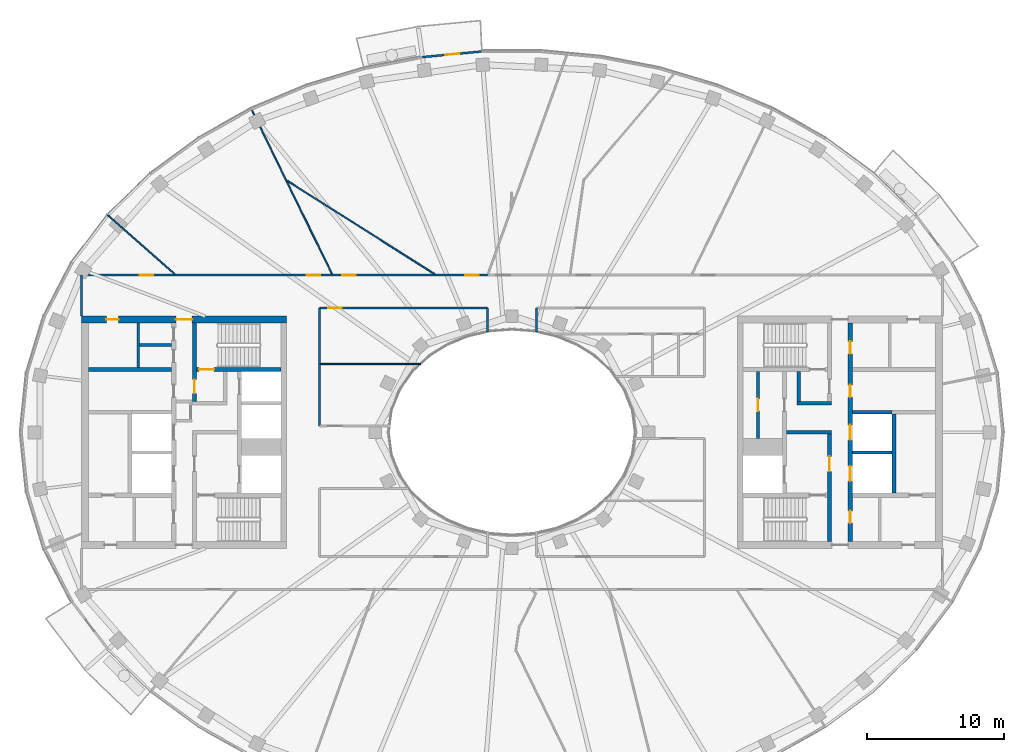
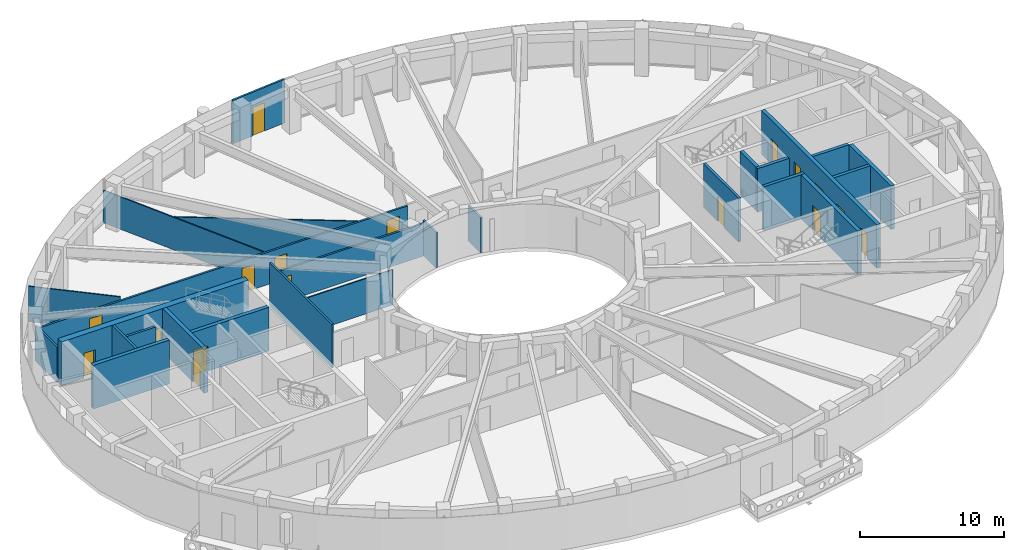
# One storey, part 5 of 16: 26 walls, 17 doors, 17 openings.
"""IFC4 building model written with IfcOpenShell, lengths in metres."""

from ifc_helpers import new_model, si_unit, direction, frame, frame_2d, origin, place, context, subcontext, project, spatial, rectangle, extrude, material, layer, layer_set, type_object, element, fill, save


model = new_model("IFC4")

# Units and contexts
model_context = context("Model", 3, precision=1e-05, world=origin(), true_north=direction((0.0, 1.0)))
body_context = subcontext(model_context, "Body", "Model", "MODEL_VIEW")
ifc_project = project(units=[si_unit("LENGTHUNIT", "METRE"), si_unit("AREAUNIT", "SQUARE_METRE"), si_unit("VOLUMEUNIT", "CUBIC_METRE"), si_unit("PLANEANGLEUNIT", "RADIAN"), si_unit("MASSUNIT", "GRAM", prefix="KILO")], contexts=[model_context])

# Site, building, storey
site_placement = place(None, origin())
site = spatial("IfcSite", under=ifc_project, at=site_placement, CompositionType="ELEMENT")
building_placement = place(site_placement, origin())
building = spatial("IfcBuilding", under=site, at=building_placement, Name="Noorbagh Ring Tower", CompositionType="ELEMENT")
storey_placement = place(building_placement, frame((0.0, 0.0, 299.0)))
storey = spatial("IfcBuildingStorey", under=building, at=storey_placement, Name="L64", CompositionType="ELEMENT", Elevation=299.0)

# Walls
ifc_material_1 = material(Name="Gypsum board on steel studs", Category="steel")
ifc_layer_1 = layer(ifc_material_1, 0.199951171875)
ifc_layer_set_1 = layer_set([ifc_layer_1], Name="Gypsum board on steel studs")
wall_type_1 = type_object("IfcWallType", Name="CORE-PARTITION-200", PredefinedType="PARTITIONING", material=ifc_layer_set_1)
wall_1_placement = place(storey_placement, frame((-27.35009765625, 4.75, 0.0), z_axis=(0.0, 0.0, 1.0), x_axis=(0.0, 1.0, 0.0)))
element("IfcWall", 1, at=wall_1_placement, inside=storey, type_object=wall_type_1, Name="Core partition W", PredefinedType="PARTITIONING", context=body_context, shape_type="SweptSolid", body=[
    extrude(rectangle(XDim=3.25, YDim=0.199951171875, at=frame_2d((1.625, 0.0))), origin(), (0.0, 0.0, 1.0), 3.699951171875),
])
wall_2_placement = place(storey_placement, frame((-24.89990234375, 6.39990234375, 0.0), z_axis=(0.0, 0.0, 1.0), x_axis=(-1.0, 0.0, 0.0)))
element("IfcWall", 2, at=wall_2_placement, inside=storey, type_object=wall_type_1, Name="Core partition W", PredefinedType="PARTITIONING", context=body_context, shape_type="SweptSolid", body=[
    extrude(rectangle(XDim=2.35009765625, YDim=0.199951171875, at=frame_2d((1.175048828125, 0.0))), origin(), (0.0, 0.0, 1.0), 3.699951171875),
])

# Wall, opening, door
wall_3_placement = place(storey_placement, frame((18.0, -0.449951171875, 0.0), z_axis=(0.0, 0.0, 1.0), x_axis=(0.0, 1.0, 0.0)))
wall_3 = element("IfcWall", 3, at=wall_3_placement, inside=storey, type_object=wall_type_1, Name="Core partition E", PredefinedType="PARTITIONING", context=body_context, shape_type="SweptSolid", body=[
    extrude(rectangle(XDim=4.89990234375, YDim=0.199951171875, at=frame_2d((2.449951171875, 0.0))), origin(), (0.0, 0.0, 1.0), 3.699951171875),
])
opening_1_placement = place(wall_3_placement, frame((2.0, 0.0, 0.0)))
opening_1 = element("IfcOpeningElement", 4, at=opening_1_placement, cuts=wall_3, Name="Opening L64-CE11", PredefinedType="OPENING", context=body_context, shape_type="SweptSolid", body=[
    extrude(rectangle(XDim=0.89990234375, YDim=2.10009765625, at=frame_2d((0.449951171875, 1.050048828125))), frame((0.0, 0.10986328125, 0.0), z_axis=(0.0, -1.0, 0.0), x_axis=(1.0, 0.0, 0.0)), (0.0, 0.0, 1.0), 0.219970703125),
])
ifc_material_2 = material(Name="Steel door leaf", Category="steel")
door_type_1 = type_object("IfcDoorType", Name="CORE-DOOR-DROOM", OperationType="SINGLE_SWING_LEFT", PredefinedType="DOOR", material=ifc_material_2)
door_1_placement = place(opening_1_placement, origin())
door_1 = element("IfcDoor", 5, at=door_1_placement, inside=storey, type_object=door_type_1, Name="Core room door L64-CE11", OperationType="SINGLE_SWING_RIGHT", OverallHeight=2.10009765625, OverallWidth=0.89990234375, PredefinedType="DOOR", context=body_context, shape_type="SweptSolid", body=[
    extrude(rectangle(XDim=0.89990234375, YDim=2.10009765625, at=frame_2d((0.449951171875, 1.050048828125))), frame((0.0, 0.02490234375, 0.0), z_axis=(0.0, -1.0, 0.0), x_axis=(1.0, 0.0, 0.0)), (0.0, 0.0, 1.0), 0.050048828125),
])
fill(opening_1, door_1)

# Walls
ifc_material_3 = material(Name="Concrete C50/60", Category="concrete")
ifc_layer_2 = layer(ifc_material_3, 0.25)
ifc_layer_set_2 = layer_set([ifc_layer_2], Name="Concrete C50/60")
wall_type_2 = type_object("IfcWallType", Name="CORE-WALL-250-C50-60-EI120", PredefinedType="SHEAR", material=ifc_layer_set_2)
for number, where, z_axis, x_axis, name in (
    (6, (24.89990234375, -1.47509765625, 0.0), (0.0, 0.0, 1.0), (1.0, 0.0, 0.0), "Core wall E"),
    (7, (24.89990234375, 1.47509765625, 0.0), (0.0, 0.0, 1.0), (1.0, 0.0, 0.0), "Core wall E"),
):
    element("IfcWall", number, at=place(storey_placement, frame(where, z_axis=z_axis, x_axis=x_axis)), inside=storey, type_object=wall_type_2, Name=name, PredefinedType="SHEAR", context=body_context, shape_type="SweptSolid", body=[
        extrude(rectangle(XDim=2.900146484375, YDim=0.25, at=frame_2d((1.4501953125, 0.0))), origin(), (0.0, 0.0, 1.0), 3.699951171875),
    ])
ifc_material_4 = material(Name="Concrete C50/60", Category="concrete")
ifc_layer_3 = layer(ifc_material_4, 0.25)
ifc_layer_set_3 = layer_set([ifc_layer_3], Name="Concrete C50/60")
wall_type_3 = type_object("IfcWallType", Name="CORE-WALL-250-C50-60-EI240", PredefinedType="SHEAR", material=ifc_layer_set_3)
wall_4_placement = place(storey_placement, frame((20.10009765625, 0.0, 0.0), z_axis=(0.0, 0.0, 1.0), x_axis=(1.0, 0.0, 0.0)))
element("IfcWall", 8, at=wall_4_placement, inside=storey, type_object=wall_type_3, Name="Core wall E", PredefinedType="SHEAR", context=body_context, shape_type="SweptSolid", body=[
    extrude(rectangle(XDim=3.27978515625, YDim=0.25, at=frame_2d((1.639892578125, 0.0))), origin(), (0.0, 0.0, 1.0), 3.699951171875),
])
wall_5_placement = place(storey_placement, frame((20.85009765625, 2.125, 0.0), z_axis=(0.0, 0.0, 1.0), x_axis=(1.0, 0.0, 0.0)))
element("IfcWall", 9, at=wall_5_placement, inside=storey, type_object=wall_type_3, Name="Core wall E", PredefinedType="SHEAR", context=body_context, shape_type="SweptSolid", body=[
    extrude(rectangle(XDim=2.52978515625, YDim=0.25, at=frame_2d((1.264892578125, 0.0))), origin(), (0.0, 0.0, 1.0), 3.699951171875),
])
wall_6_placement = place(storey_placement, frame((20.97509765625, 2.25, 0.0), z_axis=(0.0, 0.0, 1.0), x_axis=(0.0, 1.0, 0.0)))
element("IfcWall", 10, at=wall_6_placement, inside=storey, type_object=wall_type_3, Name="Core wall E", PredefinedType="SHEAR", context=body_context, shape_type="SweptSolid", body=[
    extrude(rectangle(XDim=2.199951171875, YDim=0.25, at=frame_2d((1.10009765625, 0.0))), origin(), (0.0, 0.0, 1.0), 3.699951171875),
])
ifc_material_5 = material(Name="Concrete C50/60", Category="concrete")
ifc_layer_4 = layer(ifc_material_5, 0.300048828125)
ifc_layer_set_4 = layer_set([ifc_layer_4], Name="Concrete C50/60")
wall_type_4 = type_object("IfcWallType", Name="CORE-WALL-300-C50-60-EI120", PredefinedType="SHEAR", material=ifc_layer_set_4)
wall_7_placement = place(storey_placement, frame((27.949951171875, -4.449951171875, 0.0), z_axis=(0.0, 0.0, 1.0), x_axis=(0.0, 1.0, 0.0)))
element("IfcWall", 11, at=wall_7_placement, inside=storey, type_object=wall_type_4, Name="Core wall E", PredefinedType="SHEAR", context=body_context, shape_type="SweptSolid", body=[
    extrude(rectangle(XDim=5.800048828125, YDim=0.300048828125, at=frame_2d((2.89990234375, 0.0))), origin(), (0.0, 0.0, 1.0), 3.699951171875),
])

# Wall, openings, doors
wall_8_placement = place(storey_placement, frame((24.75, -8.0, 0.0), z_axis=(0.0, 0.0, 1.0), x_axis=(0.0, 1.0, 0.0)))
wall_8 = element("IfcWall", 12, at=wall_8_placement, inside=storey, type_object=wall_type_4, Name="Core wall E", PredefinedType="SHEAR", context=body_context, shape_type="SweptSolid", body=[
    extrude(rectangle(XDim=16.0, YDim=0.300048828125, at=frame_2d((8.0, 0.0))), origin(), (0.0, 0.0, 1.0), 3.699951171875),
])
opening_2_placement = place(wall_8_placement, frame((4.425048828125, 0.0, 0.0)))
opening_2 = element("IfcOpeningElement", 13, at=opening_2_placement, cuts=wall_8, Name="Opening L64-CE02", PredefinedType="OPENING", context=body_context, shape_type="SweptSolid", body=[
    extrude(rectangle(XDim=1.10009765625, YDim=2.10009765625, at=frame_2d((0.550048828125, 1.050048828125))), frame((0.0, 0.16015625, 0.0), z_axis=(0.0, -1.0, 0.0), x_axis=(1.0, 0.0, 0.0)), (0.0, 0.0, 1.0), 0.320068359375),
])
opening_3_placement = place(wall_8_placement, frame((7.449951171875, 0.0, 0.0)))
opening_3 = element("IfcOpeningElement", 14, at=opening_3_placement, cuts=wall_8, Name="Opening L64-CE03", PredefinedType="OPENING", context=body_context, shape_type="SweptSolid", body=[
    extrude(rectangle(XDim=1.10009765625, YDim=2.10009765625, at=frame_2d((0.550048828125, 1.050048828125))), frame((0.0, 0.16015625, 0.0), z_axis=(0.0, -1.0, 0.0), x_axis=(1.0, 0.0, 0.0)), (0.0, 0.0, 1.0), 0.320068359375),
])
opening_4_placement = place(wall_8_placement, frame((10.574951171875, 0.0, 0.0)))
opening_4 = element("IfcOpeningElement", 15, at=opening_4_placement, cuts=wall_8, Name="Opening L64-CE12", PredefinedType="OPENING", context=body_context, shape_type="SweptSolid", body=[
    extrude(rectangle(XDim=0.89990234375, YDim=2.10009765625, at=frame_2d((0.449951171875, 1.050048828125))), frame((0.0, 0.16015625, 0.0), z_axis=(0.0, -1.0, 0.0), x_axis=(1.0, 0.0, 0.0)), (0.0, 0.0, 1.0), 0.320068359375),
])
opening_5_placement = place(wall_8_placement, frame((13.75, 0.0, 0.0)))
opening_5 = element("IfcOpeningElement", 16, at=opening_5_placement, cuts=wall_8, Name="Opening L64-CE13", PredefinedType="OPENING", context=body_context, shape_type="SweptSolid", body=[
    extrude(rectangle(XDim=0.89990234375, YDim=2.10009765625, at=frame_2d((0.449951171875, 1.050048828125))), frame((0.0, 0.16015625, 0.0), z_axis=(0.0, -1.0, 0.0), x_axis=(1.0, 0.0, 0.0)), (0.0, 0.0, 1.0), 0.320068359375),
])
opening_6_placement = place(wall_8_placement, frame((1.35009765625, 0.0, 0.0)))
opening_6 = element("IfcOpeningElement", 17, at=opening_6_placement, cuts=wall_8, Name="Opening L64-CE15", PredefinedType="OPENING", context=body_context, shape_type="SweptSolid", body=[
    extrude(rectangle(XDim=0.89990234375, YDim=2.10009765625, at=frame_2d((0.449951171875, 1.050048828125))), frame((0.0, 0.16015625, 0.0), z_axis=(0.0, -1.0, 0.0), x_axis=(1.0, 0.0, 0.0)), (0.0, 0.0, 1.0), 0.320068359375),
])
door_2_placement = place(opening_4_placement, origin())
door_2 = element("IfcDoor", 18, at=door_2_placement, inside=storey, type_object=door_type_1, Name="Core room door L64-CE12", OperationType="SINGLE_SWING_LEFT", OverallHeight=2.10009765625, OverallWidth=0.89990234375, PredefinedType="DOOR", context=body_context, shape_type="SweptSolid", body=[
    extrude(rectangle(XDim=0.89990234375, YDim=2.10009765625, at=frame_2d((0.449951171875, 1.050048828125))), frame((0.0, 0.02490234375, 0.0), z_axis=(0.0, -1.0, 0.0), x_axis=(1.0, 0.0, 0.0)), (0.0, 0.0, 1.0), 0.050048828125),
])
fill(opening_4, door_2)
door_3_placement = place(opening_5_placement, origin())
door_3 = element("IfcDoor", 19, at=door_3_placement, inside=storey, type_object=door_type_1, Name="Core room door L64-CE13", OperationType="SINGLE_SWING_LEFT", OverallHeight=2.10009765625, OverallWidth=0.89990234375, PredefinedType="DOOR", context=body_context, shape_type="SweptSolid", body=[
    extrude(rectangle(XDim=0.89990234375, YDim=2.10009765625, at=frame_2d((0.449951171875, 1.050048828125))), frame((0.0, 0.02490234375, 0.0), z_axis=(0.0, -1.0, 0.0), x_axis=(1.0, 0.0, 0.0)), (0.0, 0.0, 1.0), 0.050048828125),
])
fill(opening_5, door_3)
door_4_placement = place(opening_6_placement, origin())
door_4 = element("IfcDoor", 20, at=door_4_placement, inside=storey, type_object=door_type_1, Name="Core room door L64-CE15", OperationType="SINGLE_SWING_RIGHT", OverallHeight=2.10009765625, OverallWidth=0.89990234375, PredefinedType="DOOR", context=body_context, shape_type="SweptSolid", body=[
    extrude(rectangle(XDim=0.89990234375, YDim=2.10009765625, at=frame_2d((0.449951171875, 1.050048828125))), frame((0.0, 0.02490234375, 0.0), z_axis=(0.0, -1.0, 0.0), x_axis=(1.0, 0.0, 0.0)), (0.0, 0.0, 1.0), 0.050048828125),
])
fill(opening_6, door_4)
ifc_material_6 = material(Name="Steel door leaf", Category="steel")
door_type_2 = type_object("IfcDoorType", Name="CORE-DOOR-LD", OperationType="DOUBLE_DOOR_SLIDING", PredefinedType="DOOR", material=ifc_material_6)
door_5_placement = place(opening_2_placement, origin())
door_5 = element("IfcDoor", 21, at=door_5_placement, inside=storey, type_object=door_type_2, Name="Landing door HR12 L64-CE02", OperationType="DOUBLE_DOOR_SLIDING", OverallHeight=2.10009765625, OverallWidth=1.10009765625, PredefinedType="DOOR", context=body_context, shape_type="SweptSolid", body=[
    extrude(rectangle(XDim=1.10009765625, YDim=2.10009765625, at=frame_2d((0.550048828125, 1.050048828125))), frame((0.0, 0.02490234375, 0.0), z_axis=(0.0, -1.0, 0.0), x_axis=(1.0, 0.0, 0.0)), (0.0, 0.0, 1.0), 0.050048828125),
])
fill(opening_2, door_5)
door_6_placement = place(opening_3_placement, origin())
door_6 = element("IfcDoor", 22, at=door_6_placement, inside=storey, type_object=door_type_2, Name="Landing door HR13 L64-CE03", OperationType="DOUBLE_DOOR_SLIDING", OverallHeight=2.10009765625, OverallWidth=1.10009765625, PredefinedType="DOOR", context=body_context, shape_type="SweptSolid", body=[
    extrude(rectangle(XDim=1.10009765625, YDim=2.10009765625, at=frame_2d((0.550048828125, 1.050048828125))), frame((0.0, 0.02490234375, 0.0), z_axis=(0.0, -1.0, 0.0), x_axis=(1.0, 0.0, 0.0)), (0.0, 0.0, 1.0), 0.050048828125),
])
fill(opening_3, door_6)

# Wall
ifc_material_7 = material(Name="Concrete C50/60", Category="concrete")
ifc_layer_5 = layer(ifc_material_7, 0.300048828125)
ifc_layer_set_5 = layer_set([ifc_layer_5], Name="Concrete C50/60")
wall_type_5 = type_object("IfcWallType", Name="CORE-WALL-300-C50-60-EI240", PredefinedType="SHEAR", material=ifc_layer_set_5)
wall_9_placement = place(storey_placement, frame((-24.89990234375, 4.60009765625, 0.0), z_axis=(0.0, 0.0, 1.0), x_axis=(-1.0, 0.0, 0.0)))
element("IfcWall", 23, at=wall_9_placement, inside=storey, type_object=wall_type_5, Name="Core wall W", PredefinedType="SHEAR", context=body_context, shape_type="SweptSolid", body=[
    extrude(rectangle(XDim=6.10009765625, YDim=0.300048828125, at=frame_2d((3.050048828125, 0.0))), origin(), (0.0, 0.0, 1.0), 3.699951171875),
])

# Wall, opening, door
wall_10_placement = place(storey_placement, frame((-23.22998046875, 2.25, 0.0), z_axis=(0.0, 0.0, 1.0), x_axis=(0.0, 1.0, 0.0)))
wall_10 = element("IfcWall", 24, at=wall_10_placement, inside=storey, type_object=wall_type_5, Name="Core wall W", PredefinedType="SHEAR", context=body_context, shape_type="SweptSolid", body=[
    extrude(rectangle(XDim=5.75, YDim=0.300048828125, at=frame_2d((2.875, 0.0))), origin(), (0.0, 0.0, 1.0), 3.699951171875),
])
opening_7_placement = place(wall_10_placement, frame((0.60009765625, 0.0, 0.0)))
opening_7 = element("IfcOpeningElement", 25, at=opening_7_placement, cuts=wall_10, Name="Opening L64-CW08", PredefinedType="OPENING", context=body_context, shape_type="SweptSolid", body=[
    extrude(rectangle(XDim=1.0, YDim=2.10009765625, at=frame_2d((0.5, 1.050048828125))), frame((0.0, 0.16015625, 0.0), z_axis=(0.0, -1.0, 0.0), x_axis=(1.0, 0.0, 0.0)), (0.0, 0.0, 1.0), 0.320068359375),
])
ifc_material_8 = material(Name="Steel door leaf", Category="steel")
door_type_3 = type_object("IfcDoorType", Name="CORE-DOOR-DVEST", OperationType="SINGLE_SWING_LEFT", PredefinedType="DOOR", material=ifc_material_8)
door_7_placement = place(opening_7_placement, origin())
door_7 = element("IfcDoor", 26, at=door_7_placement, inside=storey, type_object=door_type_3, Name="Stair vestibule door L64-CW08", OperationType="SINGLE_SWING_LEFT", OverallHeight=2.10009765625, OverallWidth=1.0, PredefinedType="DOOR", context=body_context, shape_type="SweptSolid", body=[
    extrude(rectangle(XDim=1.0, YDim=2.10009765625, at=frame_2d((0.5, 1.050048828125))), frame((0.0, 0.02490234375, 0.0), z_axis=(0.0, -1.0, 0.0), x_axis=(1.0, 0.0, 0.0)), (0.0, 0.0, 1.0), 0.050048828125),
])
fill(opening_7, door_7)

wall_11_placement = place(storey_placement, frame((-16.89990234375, 4.60009765625, 0.0), z_axis=(0.0, 0.0, 1.0), x_axis=(-1.0, 0.0, 0.0)))
wall_11 = element("IfcWall", 27, at=wall_11_placement, inside=storey, type_object=wall_type_5, Name="Core wall W", PredefinedType="SHEAR", context=body_context, shape_type="SweptSolid", body=[
    extrude(rectangle(XDim=6.18017578125, YDim=0.300048828125, at=frame_2d((3.090087890625, 0.0))), origin(), (0.0, 0.0, 1.0), 3.699951171875),
])
opening_8_placement = place(wall_11_placement, frame((4.89990234375, 0.0, 0.0)))
opening_8 = element("IfcOpeningElement", 28, at=opening_8_placement, cuts=wall_11, Name="Opening L64-CW05", PredefinedType="OPENING", context=body_context, shape_type="SweptSolid", body=[
    extrude(rectangle(XDim=1.10009765625, YDim=2.10009765625, at=frame_2d((0.550048828125, 1.050048828125))), frame((0.0, 0.16015625, 0.0), z_axis=(0.0, -1.0, 0.0), x_axis=(1.0, 0.0, 0.0)), (0.0, 0.0, 1.0), 0.320068359375),
])
ifc_material_9 = material(Name="Steel door leaf", Category="steel")
door_type_4 = type_object("IfcDoorType", Name="CORE-DOOR-DSTAIR", OperationType="SINGLE_SWING_LEFT", PredefinedType="DOOR", material=ifc_material_9)
door_8_placement = place(opening_8_placement, origin())
door_8 = element("IfcDoor", 29, at=door_8_placement, inside=storey, type_object=door_type_4, Name="Stair door ST1 L64-CW05", OperationType="SINGLE_SWING_RIGHT", OverallHeight=2.10009765625, OverallWidth=1.10009765625, PredefinedType="DOOR", context=body_context, shape_type="SweptSolid", body=[
    extrude(rectangle(XDim=1.10009765625, YDim=2.10009765625, at=frame_2d((0.550048828125, 1.050048828125))), frame((0.0, 0.02490234375, 0.0), z_axis=(0.0, -1.0, 0.0), x_axis=(1.0, 0.0, 0.0)), (0.0, 0.0, 1.0), 0.050048828125),
])
fill(opening_8, door_8)

wall_12_placement = place(storey_placement, frame((23.22998046875, -8.0, 0.0), z_axis=(0.0, 0.0, 1.0), x_axis=(0.0, 1.0, 0.0)))
wall_12 = element("IfcWall", 30, at=wall_12_placement, inside=storey, type_object=wall_type_5, Name="Core wall E", PredefinedType="SHEAR", context=body_context, shape_type="SweptSolid", body=[
    extrude(rectangle(XDim=7.875, YDim=0.300048828125, at=frame_2d((3.9375, 0.0))), origin(), (0.0, 0.0, 1.0), 3.699951171875),
])
opening_9_placement = place(wall_12_placement, frame((5.14990234375, 0.0, 0.0)))
opening_9 = element("IfcOpeningElement", 31, at=opening_9_placement, cuts=wall_12, Name="Opening L64-CE06", PredefinedType="OPENING", context=body_context, shape_type="SweptSolid", body=[
    extrude(rectangle(XDim=1.10009765625, YDim=2.10009765625, at=frame_2d((0.550048828125, 1.050048828125))), frame((0.0, 0.16015625, 0.0), z_axis=(0.0, -1.0, 0.0), x_axis=(1.0, 0.0, 0.0)), (0.0, 0.0, 1.0), 0.320068359375),
])
ifc_material_10 = material(Name="Steel door leaf", Category="steel")
door_type_5 = type_object("IfcDoorType", Name="CORE-DOOR-DFF", OperationType="SINGLE_SWING_LEFT", PredefinedType="DOOR", material=ifc_material_10)
door_9_placement = place(opening_9_placement, origin())
door_9 = element("IfcDoor", 32, at=door_9_placement, inside=storey, type_object=door_type_5, Name="Firefighting lobby door L64-CE06", OperationType="SINGLE_SWING_RIGHT", OverallHeight=2.10009765625, OverallWidth=1.10009765625, PredefinedType="DOOR", context=body_context, shape_type="SweptSolid", body=[
    extrude(rectangle(XDim=1.10009765625, YDim=2.10009765625, at=frame_2d((0.550048828125, 1.050048828125))), frame((0.0, 0.02490234375, 0.0), z_axis=(0.0, -1.0, 0.0), x_axis=(1.0, 0.0, 0.0)), (0.0, 0.0, 1.0), 0.050048828125),
])
fill(opening_9, door_9)

# Wall, openings, doors
ifc_material_11 = material(Name="Concrete C50/60", Category="concrete")
ifc_layer_6 = layer(ifc_material_11, 0.5)
ifc_layer_set_6 = layer_set([ifc_layer_6], Name="Concrete C50/60")
wall_type_6 = type_object("IfcWallType", Name="CORE-WALL-500-C50-60-EI240", PredefinedType="SHEAR", material=ifc_layer_set_6)
wall_13_placement = place(storey_placement, frame((-16.5, 8.25, 0.0), z_axis=(0.0, 0.0, 1.0), x_axis=(-1.0, 0.0, 0.0)))
wall_13 = element("IfcWall", 33, at=wall_13_placement, inside=storey, type_object=wall_type_6, Name="Core wall W", PredefinedType="SHEAR", context=body_context, shape_type="SweptSolid", body=[
    extrude(rectangle(XDim=15.0, YDim=0.5, at=frame_2d((7.5, 0.0))), origin(), (0.0, 0.0, 1.0), 3.699951171875),
])
opening_10_placement = place(wall_13_placement, frame((6.89990234375, 0.0, 0.0)))
opening_10 = element("IfcOpeningElement", 34, at=opening_10_placement, cuts=wall_13, Name="Opening L64-CW09", PredefinedType="OPENING", context=body_context, shape_type="SweptSolid", body=[
    extrude(rectangle(XDim=1.199951171875, YDim=2.10009765625, at=frame_2d((0.60009765625, 1.050048828125))), frame((0.0, 0.260009765625, 0.0), z_axis=(0.0, -1.0, 0.0), x_axis=(1.0, 0.0, 0.0)), (0.0, 0.0, 1.0), 0.52001953125),
])
opening_11_placement = place(wall_13_placement, frame((12.27490234375, 0.0, 0.0)))
opening_11 = element("IfcOpeningElement", 35, at=opening_11_placement, cuts=wall_13, Name="Opening L64-CW14", PredefinedType="OPENING", context=body_context, shape_type="SweptSolid", body=[
    extrude(rectangle(XDim=0.89990234375, YDim=2.10009765625, at=frame_2d((0.449951171875, 1.050048828125))), frame((0.0, 0.260009765625, 0.0), z_axis=(0.0, -1.0, 0.0), x_axis=(1.0, 0.0, 0.0)), (0.0, 0.0, 1.0), 0.52001953125),
])
door_10_placement = place(opening_11_placement, origin())
door_10 = element("IfcDoor", 36, at=door_10_placement, inside=storey, type_object=door_type_1, Name="Core room door L64-CW14", OperationType="SINGLE_SWING_RIGHT", OverallHeight=2.10009765625, OverallWidth=0.89990234375, PredefinedType="DOOR", context=body_context, shape_type="SweptSolid", body=[
    extrude(rectangle(XDim=0.89990234375, YDim=2.10009765625, at=frame_2d((0.449951171875, 1.050048828125))), frame((0.0, 0.02490234375, 0.0), z_axis=(0.0, -1.0, 0.0), x_axis=(1.0, 0.0, 0.0)), (0.0, 0.0, 1.0), 0.050048828125),
])
fill(opening_11, door_10)
ifc_material_12 = material(Name="Steel door leaf", Category="steel")
door_type_6 = type_object("IfcDoorType", Name="CORE-DOOR-PORT", OperationType="DOUBLE_DOOR_DOUBLE_SWING", PredefinedType="DOOR", material=ifc_material_12)
door_11_placement = place(opening_10_placement, origin())
door_11 = element("IfcDoor", 37, at=door_11_placement, inside=storey, type_object=door_type_6, Name="Core entrance door L64-CW09", OperationType="DOUBLE_DOOR_DOUBLE_SWING", OverallHeight=2.10009765625, OverallWidth=1.199951171875, PredefinedType="DOOR", context=body_context, shape_type="SweptSolid", body=[
    extrude(rectangle(XDim=1.199951171875, YDim=2.10009765625, at=frame_2d((0.60009765625, 1.050048828125))), frame((0.0, 0.02490234375, 0.0), z_axis=(0.0, -1.0, 0.0), x_axis=(1.0, 0.0, 0.0)), (0.0, 0.0, 1.0), 0.050048828125),
])
fill(opening_10, door_11)

# Wall
ifc_material_13 = material(Name="Gypsum board on steel studs", Category="steel")
ifc_layer_7 = layer(ifc_material_13, 0.14990234375)
ifc_layer_set_7 = layer_set([ifc_layer_7], Name="Gypsum board on steel studs")
wall_type_7 = type_object("IfcWallType", Name="CORRIDOR PARTITION 150 EI 30", PredefinedType="PARTITIONING", material=ifc_layer_set_7)
wall_14_placement = place(storey_placement, frame((-31.5, 8.5, 0.0), z_axis=(0.0, 0.0, 1.0), x_axis=(0.0, 1.0, 0.0)))
element("IfcWall", 38, at=wall_14_placement, inside=storey, type_object=wall_type_7, Name="L64/wall/P04", PredefinedType="PARTITIONING", context=body_context, shape_type="SweptSolid", body=[
    extrude(rectangle(XDim=3.0, YDim=0.14990234375, at=frame_2d((1.5, 0.0))), origin(), (0.0, 0.0, 1.0), 3.0),
])

# Wall, openings, doors
wall_15_placement = place(storey_placement, frame((-31.5, 11.5, 0.0), z_axis=(0.0, 0.0, 1.0), x_axis=(1.0, 0.0, 0.0)))
wall_15 = element("IfcWall", 39, at=wall_15_placement, inside=storey, type_object=wall_type_7, Name="L64/wall/P05", PredefinedType="PARTITIONING", context=body_context, shape_type="SweptSolid", body=[
    extrude(rectangle(XDim=29.76806640625, YDim=0.14990234375, at=frame_2d((14.884033203125, 0.0))), origin(), (0.0, 0.0, 1.0), 2.75),
])
opening_12_placement = place(wall_15_placement, frame((4.2490234375, 0.0, 0.0)))
opening_12 = element("IfcOpeningElement", 40, at=opening_12_placement, cuts=wall_15, Name="Opening D1", PredefinedType="OPENING", context=body_context, shape_type="SweptSolid", body=[
    extrude(rectangle(XDim=1.0, YDim=2.10009765625, at=frame_2d((0.5, 1.050048828125))), frame((0.0, 0.0849609375, 0.0), z_axis=(0.0, -1.0, 0.0), x_axis=(1.0, 0.0, 0.0)), (0.0, 0.0, 1.0), 0.169921875),
])
opening_13_placement = place(wall_15_placement, frame((16.470947265625, 0.0, 0.0)))
opening_13 = element("IfcOpeningElement", 41, at=opening_13_placement, cuts=wall_15, Name="Opening D1", PredefinedType="OPENING", context=body_context, shape_type="SweptSolid", body=[
    extrude(rectangle(XDim=1.0, YDim=2.10009765625, at=frame_2d((0.5, 1.050048828125))), frame((0.0, 0.0849609375, 0.0), z_axis=(0.0, -1.0, 0.0), x_axis=(1.0, 0.0, 0.0)), (0.0, 0.0, 1.0), 0.169921875),
])
opening_14_placement = place(wall_15_placement, frame((28.075927734375, 0.0, 0.0)))
opening_14 = element("IfcOpeningElement", 42, at=opening_14_placement, cuts=wall_15, Name="Opening D1", PredefinedType="OPENING", context=body_context, shape_type="SweptSolid", body=[
    extrude(rectangle(XDim=1.0, YDim=2.10009765625, at=frame_2d((0.5, 1.050048828125))), frame((0.0, 0.0849609375, 0.0), z_axis=(0.0, -1.0, 0.0), x_axis=(1.0, 0.0, 0.0)), (0.0, 0.0, 1.0), 0.169921875),
])
opening_15_placement = place(wall_15_placement, frame((19.06201171875, 0.0, 0.0)))
opening_15 = element("IfcOpeningElement", 43, at=opening_15_placement, cuts=wall_15, Name="Opening D1", PredefinedType="OPENING", context=body_context, shape_type="SweptSolid", body=[
    extrude(rectangle(XDim=1.0, YDim=2.10009765625, at=frame_2d((0.5, 1.050048828125))), frame((0.0, 0.0849609375, 0.0), z_axis=(0.0, -1.0, 0.0), x_axis=(1.0, 0.0, 0.0)), (0.0, 0.0, 1.0), 0.169921875),
])
ifc_material_14 = material(Name="Timber, painted", Category="wood")
door_type_7 = type_object("IfcDoorType", Name="DOOR 1000 X 2100 FD30", OperationType="SINGLE_SWING_LEFT", PredefinedType="DOOR", material=ifc_material_14)
door_12_placement = place(opening_12_placement, origin())
door_12 = element("IfcDoor", 44, at=door_12_placement, inside=storey, type_object=door_type_7, Name="L64-D05", OperationType="SINGLE_SWING_LEFT", OverallHeight=2.10009765625, OverallWidth=1.0, PredefinedType="DOOR", context=body_context, shape_type="SweptSolid", body=[
    extrude(rectangle(XDim=1.0, YDim=2.10009765625, at=frame_2d((0.5, 1.050048828125))), frame((0.0, 0.02490234375, 0.0), z_axis=(0.0, -1.0, 0.0), x_axis=(1.0, 0.0, 0.0)), (0.0, 0.0, 1.0), 0.050048828125),
])
fill(opening_12, door_12)
door_13_placement = place(opening_13_placement, origin())
door_13 = element("IfcDoor", 45, at=door_13_placement, inside=storey, type_object=door_type_7, Name="L64-D07", OperationType="SINGLE_SWING_LEFT", OverallHeight=2.10009765625, OverallWidth=1.0, PredefinedType="DOOR", context=body_context, shape_type="SweptSolid", body=[
    extrude(rectangle(XDim=1.0, YDim=2.10009765625, at=frame_2d((0.5, 1.050048828125))), frame((0.0, 0.02490234375, 0.0), z_axis=(0.0, -1.0, 0.0), x_axis=(1.0, 0.0, 0.0)), (0.0, 0.0, 1.0), 0.050048828125),
])
fill(opening_13, door_13)
door_14_placement = place(opening_14_placement, origin())
door_14 = element("IfcDoor", 46, at=door_14_placement, inside=storey, type_object=door_type_7, Name="L64-D09", OperationType="SINGLE_SWING_LEFT", OverallHeight=2.10009765625, OverallWidth=1.0, PredefinedType="DOOR", context=body_context, shape_type="SweptSolid", body=[
    extrude(rectangle(XDim=1.0, YDim=2.10009765625, at=frame_2d((0.5, 1.050048828125))), frame((0.0, 0.02490234375, 0.0), z_axis=(0.0, -1.0, 0.0), x_axis=(1.0, 0.0, 0.0)), (0.0, 0.0, 1.0), 0.050048828125),
])
fill(opening_14, door_14)
door_15_placement = place(opening_15_placement, origin())
door_15 = element("IfcDoor", 47, at=door_15_placement, inside=storey, type_object=door_type_7, Name="L64-D10", OperationType="SINGLE_SWING_RIGHT", OverallHeight=2.10009765625, OverallWidth=1.0, PredefinedType="DOOR", context=body_context, shape_type="SweptSolid", body=[
    extrude(rectangle(XDim=1.0, YDim=2.10009765625, at=frame_2d((0.5, 1.050048828125))), frame((0.0, 0.02490234375, 0.0), z_axis=(0.0, -1.0, 0.0), x_axis=(1.0, 0.0, 0.0)), (0.0, 0.0, 1.0), 0.050048828125),
])
fill(opening_15, door_15)

# Wall
wall_16_placement = place(storey_placement, frame((-14.10009765625, 0.455078125, 0.0), z_axis=(0.0, 0.0, 1.0), x_axis=(0.0, 1.0, 0.0)))
element("IfcWall", 48, at=wall_16_placement, inside=storey, type_object=wall_type_7, Name="L64/wall/P14", PredefinedType="PARTITIONING", context=body_context, shape_type="SweptSolid", body=[
    extrude(rectangle(XDim=8.64501953125, YDim=0.14990234375, at=frame_2d((4.322509765625, 0.0))), origin(), (0.0, 0.0, 1.0), 3.699951171875),
])

# Wall, opening, door
wall_17_placement = place(storey_placement, frame((-14.10009765625, 9.10009765625, 0.0), z_axis=(0.0, 0.0, 1.0), x_axis=(1.0, 0.0, 0.0)))
wall_17 = element("IfcWall", 49, at=wall_17_placement, inside=storey, type_object=wall_type_7, Name="L64/wall/P17", PredefinedType="PARTITIONING", context=body_context, shape_type="SweptSolid", body=[
    extrude(rectangle(XDim=12.300048828125, YDim=0.14990234375, at=frame_2d((6.14990234375, 0.0))), origin(), (0.0, 0.0, 1.0), 2.75),
])
opening_16_placement = place(wall_17_placement, frame((0.64990234375, 0.0, 0.0)))
opening_16 = element("IfcOpeningElement", 50, at=opening_16_placement, cuts=wall_17, Name="Opening D1", PredefinedType="OPENING", context=body_context, shape_type="SweptSolid", body=[
    extrude(rectangle(XDim=1.0, YDim=2.10009765625, at=frame_2d((0.5, 1.050048828125))), frame((0.0, 0.0849609375, 0.0), z_axis=(0.0, -1.0, 0.0), x_axis=(1.0, 0.0, 0.0)), (0.0, 0.0, 1.0), 0.169921875),
])
door_16_placement = place(opening_16_placement, origin())
door_16 = element("IfcDoor", 51, at=door_16_placement, inside=storey, type_object=door_type_7, Name="L64-D21", OperationType="SINGLE_SWING_LEFT", OverallHeight=2.10009765625, OverallWidth=1.0, PredefinedType="DOOR", context=body_context, shape_type="SweptSolid", body=[
    extrude(rectangle(XDim=1.0, YDim=2.10009765625, at=frame_2d((0.5, 1.050048828125))), frame((0.0, 0.02490234375, 0.0), z_axis=(0.0, -1.0, 0.0), x_axis=(1.0, 0.0, 0.0)), (0.0, 0.0, 1.0), 0.050048828125),
])
fill(opening_16, door_16)

# Walls
for number, where, z_axis, x_axis, name in (
    (52, (-1.800048828125, 7.3359375, 0.0), (0.0, 0.0, 1.0), (0.0, 1.0, 0.0), "L64/wall/P20"),
    (53, (1.800048828125, 7.3359375, 0.0), (0.0, 0.0, 1.0), (0.0, 1.0, 0.0), "L64/wall/P33"),
):
    element("IfcWall", number, at=place(storey_placement, frame(where, z_axis=z_axis, x_axis=x_axis)), inside=storey, type_object=wall_type_7, Name=name, PredefinedType="PARTITIONING", context=body_context, shape_type="SweptSolid", body=[
        extrude(rectangle(XDim=1.76416015625, YDim=0.14990234375, at=frame_2d((0.882080078125, 0.0))), origin(), (0.0, 0.0, 1.0), 3.0),
    ])

# Wall, opening, door
ifc_material_15 = material(Name="Insulated aluminium clad panel", Category="aluminium")
ifc_layer_8 = layer(ifc_material_15, 0.14990234375)
ifc_layer_set_8 = layer_set([ifc_layer_8], Name="Insulated aluminium clad panel")
wall_type_8 = type_object("IfcWallType", Name="ENV-WALL-DOOR", PredefinedType="STANDARD", material=ifc_layer_set_8)
wall_18_placement = place(storey_placement, frame((-2.166259765625, 27.875244140625, 0.0), z_axis=(0.0, 0.0, 1.0), x_axis=(-0.995473879823, -0.095035543824, 0.0)))
wall_18 = element("IfcWall", 54, at=wall_18_placement, inside=storey, type_object=wall_type_8, Name="Balcony door wall chord 13", PredefinedType="STANDARD", context=body_context, shape_type="SweptSolid", body=[
    extrude(rectangle(XDim=4.42626953125, YDim=0.14990234375, at=frame_2d((2.213134765625, 0.0))), origin(), (0.0, 0.0, 1.0), 3.699951171875),
])
opening_17_placement = place(wall_18_placement, frame((1.713134765625, 0.0, 0.0)))
opening_17 = element("IfcOpeningElement", 55, at=opening_17_placement, cuts=wall_18, Name="Opening D-BL", PredefinedType="OPENING", context=body_context, shape_type="SweptSolid", body=[
    extrude(rectangle(XDim=1.0, YDim=2.39990234375, at=frame_2d((0.5, 1.199951171875))), frame((0.0, 0.0849609375, 0.0), z_axis=(0.0, -1.0, 0.0), x_axis=(1.0, 0.0, 0.0)), (0.0, 0.0, 1.0), 0.169921875),
])
ifc_material_16 = material(Name="Aluminium and glass", Category="aluminium")
door_type_8 = type_object("IfcDoorType", Name="ENV-DOOR-BALCONY", OperationType="SINGLE_SWING_LEFT", PredefinedType="DOOR", material=ifc_material_16)
door_17_placement = place(opening_17_placement, origin())
door_17 = element("IfcDoor", 56, at=door_17_placement, inside=storey, type_object=door_type_8, Name="Balcony door chord 13", OperationType="SINGLE_SWING_LEFT", OverallHeight=2.39990234375, OverallWidth=1.0, PredefinedType="DOOR", context=body_context, shape_type="SweptSolid", body=[
    extrude(rectangle(XDim=1.0, YDim=2.39990234375, at=frame_2d((0.5, 1.199951171875))), frame((0.0, 0.02490234375, 0.0), z_axis=(0.0, -1.0, 0.0), x_axis=(1.0, 0.0, 0.0)), (0.0, 0.0, 1.0), 0.050048828125),
])
fill(opening_17, door_17)

# Walls
ifc_material_17 = material(Name="Gypsum board on steel studs", Category="steel")
ifc_layer_9 = layer(ifc_material_17, 0.10009765625)
ifc_layer_set_9 = layer_set([ifc_layer_9], Name="Gypsum board on steel studs")
wall_type_9 = type_object("IfcWallType", Name="PARTITION 100 GYPSUM", PredefinedType="PARTITIONING", material=ifc_layer_set_9)
wall_19_placement = place(storey_placement, frame((-29.569091796875, 15.89501953125, 0.0), z_axis=(0.0, 0.0, 1.0), x_axis=(0.748988695283, -0.662582775461, 0.0)))
element("IfcWall", 57, at=wall_19_placement, inside=storey, type_object=wall_type_9, Name="L64/wall/P06", PredefinedType="PARTITIONING", context=body_context, shape_type="SweptSolid", body=[
    extrude(rectangle(XDim=6.515625, YDim=0.10009765625, at=frame_2d((3.2578125, 0.0))), origin(), (0.0, 0.0, 1.0), 3.0),
])
wall_20_placement = place(storey_placement, frame((-19.0859375, 23.68505859375, 0.0), z_axis=(0.0, 0.0, 1.0), x_axis=(0.439180235984, -0.898398976135, 0.0)))
element("IfcWall", 58, at=wall_20_placement, inside=storey, type_object=wall_type_9, Name="L64/wall/P08", PredefinedType="PARTITIONING", context=body_context, shape_type="SweptSolid", body=[
    extrude(rectangle(XDim=13.47509765625, YDim=0.10009765625, at=frame_2d((6.737548828125, 0.0))), origin(), (0.0, 0.0, 1.0), 2.75),
])
wall_21_placement = place(storey_placement, frame((-16.451904296875, 18.412109375, 0.0), z_axis=(0.0, 0.0, 1.0), x_axis=(0.844827711376, -0.535038445434, 0.0)))
element("IfcWall", 59, at=wall_21_placement, inside=storey, type_object=wall_type_9, Name="L64/wall/P09", PredefinedType="PARTITIONING", context=body_context, shape_type="SweptSolid", body=[
    extrude(rectangle(XDim=12.77880859375, YDim=0.10009765625, at=frame_2d((6.389404296875, 0.0))), origin(), (0.0, 0.0, 1.0), 2.75),
])
wall_22_placement = place(storey_placement, frame((-14.02490234375, 5.0048828125, 0.0), z_axis=(0.0, 0.0, 1.0), x_axis=(1.0, 0.0, 0.0)))
element("IfcWall", 60, at=wall_22_placement, inside=storey, type_object=wall_type_9, Name="L64/wall/P16", PredefinedType="PARTITIONING", context=body_context, shape_type="SweptSolid", body=[
    extrude(rectangle(XDim=7.3408203125, YDim=0.10009765625, at=frame_2d((3.67041015625, 0.0))), origin(), (0.0, 0.0, 1.0), 3.0),
])

save(model, "model.ifc")
